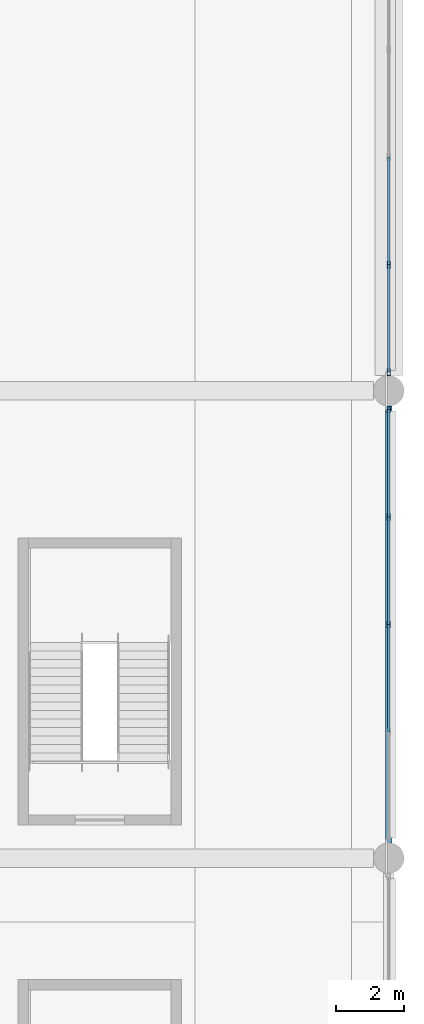
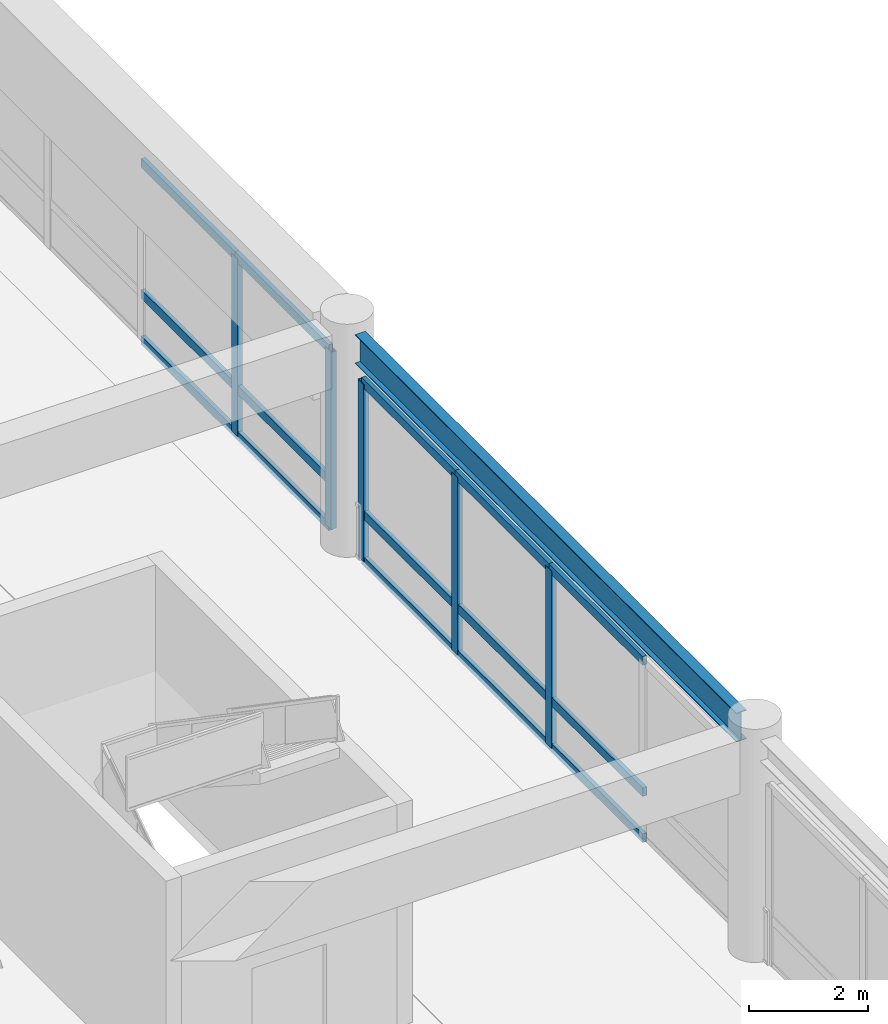
# One storey, part 38 of 91: 20 members, 1 beam, 2 elements without a shape of their own.
"""IFC4 building model written with IfcOpenShell, lengths in metres."""

from ifc_helpers import new_model, si_unit, direction, frame, origin, origin_2d, place, context, subcontext, project, spatial, hollow_rectangle, i_section, extrude, material, material_profile, profile_set, type_object, element, aggregate, save


model = new_model("IFC4")

# Units and contexts
model_context = context("Model", 3, precision=1e-05, world=origin(), true_north=direction((0.0, 1.0)))
body_context = subcontext(model_context, "Body", "Model", "MODEL_VIEW")
ifc_project = project(units=[si_unit("LENGTHUNIT", "METRE"), si_unit("AREAUNIT", "SQUARE_METRE"), si_unit("VOLUMEUNIT", "CUBIC_METRE"), si_unit("PLANEANGLEUNIT", "RADIAN"), si_unit("MASSUNIT", "GRAM", prefix="KILO")], contexts=[model_context])

# Site, building, storey
site_placement = place(None, origin())
site = spatial("IfcSite", under=ifc_project, at=site_placement, CompositionType="ELEMENT")
building_placement = place(site_placement, origin())
building = spatial("IfcBuilding", under=site, at=building_placement, Name="Linyun Crest Stadium", CompositionType="ELEMENT")
storey_placement = place(building_placement, frame((0.0, 0.0, 11.39990234375)))
storey = spatial("IfcBuildingStorey", under=building, at=storey_placement, Name="L03", CompositionType="ELEMENT", Elevation=11.39990234375)

# Beam
ifc_material_1 = material(Name="Steel Q355C", Category="steel")
ifc_material_profile_1 = material_profile(ifc_material_1, i_section(OverallWidth=0.199951171875, OverallDepth=0.60009765625, WebThickness=0.010986328125, FlangeThickness=0.01708984375, at=origin_2d()), Name="HN 600x200")
ifc_profile_set_1 = profile_set([ifc_material_profile_1], Name="Steel Q355C")
beam_type = type_object("IfcBeamType", Name="B11", PredefinedType="BEAM", material=ifc_profile_set_1)
beam_placement = place(storey_placement, frame((98.0, -11.175048828125, 4.280029296875), z_axis=(0.0, 1.0, 0.0), x_axis=(-1.0, 0.0, 0.0)))
element("IfcBeam", 1, at=beam_placement, inside=storey, type_object=beam_type, Name="Frame beam B11 L03 674", PredefinedType="BEAM", context=body_context, shape_type="SweptSolid", body=[
    extrude(i_section(OverallWidth=0.199951171875, OverallDepth=0.60009765625, WebThickness=0.010986328125, FlangeThickness=0.01708984375, at=origin_2d()), origin(), (0.0, 0.0, 1.0), 12.85009765625),
])

# Curtain wall, members
ifc_material_2 = material(Name="Verdigris steel and low-E curtain wall assembly", Category="steel")
curtain_wall_type = type_object("IfcCurtainWallType", Name="MCW02", PredefinedType="NOTDEFINED", material=ifc_material_2)
curtain_wall_1_placement = place(storey_placement, origin())
curtain_wall_1 = element("IfcCurtainWall", 2, at=curtain_wall_1_placement, inside=storey, type_object=curtain_wall_type, Name="CWR-097", PredefinedType="NOTDEFINED")
ifc_material_3 = material(Name="Verdigris painted steel Q355C mullion", Category="steel")
ifc_material_profile_2 = material_profile(ifc_material_3, hollow_rectangle(XDim=0.10009765625, YDim=0.199951171875, WallThickness=0.008056640625, at=origin_2d()), Name="RHS 200x100x8")
ifc_profile_set_2 = profile_set([ifc_material_profile_2], Name="Verdigris painted steel Q355C mullion")
member_type_1 = type_object("IfcMemberType", Name="ML03", PredefinedType="MULLION", material=ifc_profile_set_2)
member_1_placement = place(storey_placement, frame((98.0, -4.75, 0.0), z_axis=(0.0, 0.0, 1.0), x_axis=(-1.0, 0.0, 0.0)))
member_1 = element("IfcMember", 3, at=member_1_placement, type_object=member_type_1, Name="CWR-097 mullion 3", PredefinedType="MULLION", context=body_context, shape_type="SweptSolid", body=[
    extrude(hollow_rectangle(XDim=0.10009765625, YDim=0.199951171875, WallThickness=0.008056640625, at=origin_2d()), origin(), (0.0, 0.0, 1.0), 3.650146484375),
])
member_2_placement = place(storey_placement, frame((98.0, -1.587890625, 0.0), z_axis=(0.0, 0.0, 1.0), x_axis=(-1.0, 0.0, 0.0)))
member_2 = element("IfcMember", 4, at=member_2_placement, type_object=member_type_1, Name="CWR-097 mullion 4", PredefinedType="MULLION", context=body_context, shape_type="SweptSolid", body=[
    extrude(hollow_rectangle(XDim=0.10009765625, YDim=0.199951171875, WallThickness=0.008056640625, at=origin_2d()), origin(), (0.0, 0.0, 1.0), 3.650146484375),
])
member_3_placement = place(storey_placement, frame((98.0, 1.574951171875, 0.0), z_axis=(0.0, 0.0, 1.0), x_axis=(-1.0, 0.0, 0.0)))
member_3 = element("IfcMember", 5, at=member_3_placement, type_object=member_type_1, Name="CWR-097 mullion 5", PredefinedType="MULLION", context=body_context, shape_type="SweptSolid", body=[
    extrude(hollow_rectangle(XDim=0.10009765625, YDim=0.199951171875, WallThickness=0.008056640625, at=origin_2d()), origin(), (0.0, 0.0, 1.0), 3.650146484375),
])

curtain_wall_2_placement = place(storey_placement, origin())
curtain_wall_2 = element("IfcCurtainWall", 6, at=curtain_wall_2_placement, inside=storey, type_object=curtain_wall_type, Name="CWR-106", PredefinedType="NOTDEFINED")
member_4_placement = place(storey_placement, frame((98.0, 2.675048828125, 0.0), z_axis=(0.0, 0.0, 1.0), x_axis=(-1.0, 0.0, 0.0)))
member_4 = element("IfcMember", 7, at=member_4_placement, type_object=member_type_1, Name="CWR-106 mullion 1", PredefinedType="MULLION", context=body_context, shape_type="SweptSolid", body=[
    extrude(hollow_rectangle(XDim=0.10009765625, YDim=0.199951171875, WallThickness=0.008056640625, at=origin_2d()), origin(), (0.0, 0.0, 1.0), 3.650146484375),
])
member_5_placement = place(storey_placement, frame((98.0, 5.8369140625, 0.0), z_axis=(0.0, 0.0, 1.0), x_axis=(-1.0, 0.0, 0.0)))
member_5 = element("IfcMember", 8, at=member_5_placement, type_object=member_type_1, Name="CWR-106 mullion 2", PredefinedType="MULLION", context=body_context, shape_type="SweptSolid", body=[
    extrude(hollow_rectangle(XDim=0.10009765625, YDim=0.199951171875, WallThickness=0.008056640625, at=origin_2d()), origin(), (0.0, 0.0, 1.0), 3.650146484375),
])

# Member
ifc_material_4 = material(Name="Verdigris painted steel Q355B transom", Category="steel")
ifc_material_profile_3 = material_profile(ifc_material_4, hollow_rectangle(XDim=0.080078125, YDim=0.179931640625, WallThickness=0.006103515625, at=origin_2d()), Name="RHS 180x80x6")
ifc_profile_set_3 = profile_set([ifc_material_profile_3], Name="Verdigris painted steel Q355B transom")
member_type_2 = type_object("IfcMemberType", Name="TR02", PredefinedType="USERDEFINED", material=ifc_profile_set_3)
member_6_placement = place(storey_placement, frame((98.0, -7.912109375, 0.0), z_axis=(0.0, 1.0, 0.0), x_axis=(-1.0, 0.0, 0.0)))
member_6 = element("IfcMember", 9, at=member_6_placement, type_object=member_type_2, Name="CWR-097 transom 2.1", ObjectType="TRANSOM", PredefinedType="USERDEFINED", context=body_context, shape_type="SweptSolid", body=[
    extrude(hollow_rectangle(XDim=0.080078125, YDim=0.179931640625, WallThickness=0.006103515625, at=origin_2d()), origin(), (0.0, 0.0, 1.0), 3.162109375),
])

member_7_placement = place(storey_placement, frame((98.0, -7.912109375, 0.9501953125), z_axis=(0.0, 1.0, 0.0), x_axis=(-1.0, 0.0, 0.0)))
member_7 = element("IfcMember", 10, at=member_7_placement, type_object=member_type_2, Name="CWR-097 transom 2.2", ObjectType="TRANSOM", PredefinedType="USERDEFINED", context=body_context, shape_type="SweptSolid", body=[
    extrude(hollow_rectangle(XDim=0.080078125, YDim=0.179931640625, WallThickness=0.006103515625, at=origin_2d()), origin(), (0.0, 0.0, 1.0), 3.162109375),
])

member_8_placement = place(storey_placement, frame((98.0, -7.912109375, 3.650146484375), z_axis=(0.0, 1.0, 0.0), x_axis=(-1.0, 0.0, 0.0)))
member_8 = element("IfcMember", 11, at=member_8_placement, type_object=member_type_2, Name="CWR-097 transom 2.3", ObjectType="TRANSOM", PredefinedType="USERDEFINED", context=body_context, shape_type="SweptSolid", body=[
    extrude(hollow_rectangle(XDim=0.080078125, YDim=0.179931640625, WallThickness=0.006103515625, at=origin_2d()), origin(), (0.0, 0.0, 1.0), 3.162109375),
])

member_9_placement = place(storey_placement, frame((98.0, -4.75, 0.0), z_axis=(0.0, 1.0, 0.0), x_axis=(-1.0, 0.0, 0.0)))
member_9 = element("IfcMember", 12, at=member_9_placement, type_object=member_type_2, Name="CWR-097 transom 3.1", ObjectType="TRANSOM", PredefinedType="USERDEFINED", context=body_context, shape_type="SweptSolid", body=[
    extrude(hollow_rectangle(XDim=0.080078125, YDim=0.179931640625, WallThickness=0.006103515625, at=origin_2d()), origin(), (0.0, 0.0, 1.0), 3.162109375),
])

member_10_placement = place(storey_placement, frame((98.0, -4.75, 0.9501953125), z_axis=(0.0, 1.0, 0.0), x_axis=(-1.0, 0.0, 0.0)))
member_10 = element("IfcMember", 13, at=member_10_placement, type_object=member_type_2, Name="CWR-097 transom 3.2", ObjectType="TRANSOM", PredefinedType="USERDEFINED", context=body_context, shape_type="SweptSolid", body=[
    extrude(hollow_rectangle(XDim=0.080078125, YDim=0.179931640625, WallThickness=0.006103515625, at=origin_2d()), origin(), (0.0, 0.0, 1.0), 3.162109375),
])

member_11_placement = place(storey_placement, frame((98.0, -4.75, 3.650146484375), z_axis=(0.0, 1.0, 0.0), x_axis=(-1.0, 0.0, 0.0)))
member_11 = element("IfcMember", 14, at=member_11_placement, type_object=member_type_2, Name="CWR-097 transom 3.3", ObjectType="TRANSOM", PredefinedType="USERDEFINED", context=body_context, shape_type="SweptSolid", body=[
    extrude(hollow_rectangle(XDim=0.080078125, YDim=0.179931640625, WallThickness=0.006103515625, at=origin_2d()), origin(), (0.0, 0.0, 1.0), 3.162109375),
])

member_12_placement = place(storey_placement, frame((98.0, -1.587890625, 0.0), z_axis=(0.0, 1.0, 0.0), x_axis=(-1.0, 0.0, 0.0)))
member_12 = element("IfcMember", 15, at=member_12_placement, type_object=member_type_2, Name="CWR-097 transom 4.1", ObjectType="TRANSOM", PredefinedType="USERDEFINED", context=body_context, shape_type="SweptSolid", body=[
    extrude(hollow_rectangle(XDim=0.080078125, YDim=0.179931640625, WallThickness=0.006103515625, at=origin_2d()), origin(), (0.0, 0.0, 1.0), 3.162841796875),
])

member_13_placement = place(storey_placement, frame((98.0, -1.587890625, 0.9501953125), z_axis=(0.0, 1.0, 0.0), x_axis=(-1.0, 0.0, 0.0)))
member_13 = element("IfcMember", 16, at=member_13_placement, type_object=member_type_2, Name="CWR-097 transom 4.2", ObjectType="TRANSOM", PredefinedType="USERDEFINED", context=body_context, shape_type="SweptSolid", body=[
    extrude(hollow_rectangle(XDim=0.080078125, YDim=0.179931640625, WallThickness=0.006103515625, at=origin_2d()), origin(), (0.0, 0.0, 1.0), 3.162841796875),
])

member_14_placement = place(storey_placement, frame((98.0, -1.587890625, 3.650146484375), z_axis=(0.0, 1.0, 0.0), x_axis=(-1.0, 0.0, 0.0)))
member_14 = element("IfcMember", 17, at=member_14_placement, type_object=member_type_2, Name="CWR-097 transom 4.3", ObjectType="TRANSOM", PredefinedType="USERDEFINED", context=body_context, shape_type="SweptSolid", body=[
    extrude(hollow_rectangle(XDim=0.080078125, YDim=0.179931640625, WallThickness=0.006103515625, at=origin_2d()), origin(), (0.0, 0.0, 1.0), 3.162841796875),
])

aggregate(curtain_wall_1, [member_1, member_2, member_3, member_6, member_7, member_8, member_9, member_10, member_11, member_12, member_13, member_14])

member_15_placement = place(storey_placement, frame((98.0, 2.675048828125, 0.0), z_axis=(0.0, 1.0, 0.0), x_axis=(-1.0, 0.0, 0.0)))
member_15 = element("IfcMember", 18, at=member_15_placement, type_object=member_type_2, Name="CWR-106 transom 1.1", ObjectType="TRANSOM", PredefinedType="USERDEFINED", context=body_context, shape_type="SweptSolid", body=[
    extrude(hollow_rectangle(XDim=0.080078125, YDim=0.179931640625, WallThickness=0.006103515625, at=origin_2d()), origin(), (0.0, 0.0, 1.0), 3.161865234375),
])

member_16_placement = place(storey_placement, frame((98.0, 2.675048828125, 0.9501953125), z_axis=(0.0, 1.0, 0.0), x_axis=(-1.0, 0.0, 0.0)))
member_16 = element("IfcMember", 19, at=member_16_placement, type_object=member_type_2, Name="CWR-106 transom 1.2", ObjectType="TRANSOM", PredefinedType="USERDEFINED", context=body_context, shape_type="SweptSolid", body=[
    extrude(hollow_rectangle(XDim=0.080078125, YDim=0.179931640625, WallThickness=0.006103515625, at=origin_2d()), origin(), (0.0, 0.0, 1.0), 3.161865234375),
])

member_17_placement = place(storey_placement, frame((98.0, 2.675048828125, 3.650146484375), z_axis=(0.0, 1.0, 0.0), x_axis=(-1.0, 0.0, 0.0)))
member_17 = element("IfcMember", 20, at=member_17_placement, type_object=member_type_2, Name="CWR-106 transom 1.3", ObjectType="TRANSOM", PredefinedType="USERDEFINED", context=body_context, shape_type="SweptSolid", body=[
    extrude(hollow_rectangle(XDim=0.080078125, YDim=0.179931640625, WallThickness=0.006103515625, at=origin_2d()), origin(), (0.0, 0.0, 1.0), 3.161865234375),
])

member_18_placement = place(storey_placement, frame((98.0, 5.8369140625, 0.0), z_axis=(0.0, 1.0, 0.0), x_axis=(-1.0, 0.0, 0.0)))
member_18 = element("IfcMember", 21, at=member_18_placement, type_object=member_type_2, Name="CWR-106 transom 2.1", ObjectType="TRANSOM", PredefinedType="USERDEFINED", context=body_context, shape_type="SweptSolid", body=[
    extrude(hollow_rectangle(XDim=0.080078125, YDim=0.179931640625, WallThickness=0.006103515625, at=origin_2d()), origin(), (0.0, 0.0, 1.0), 3.1630859375),
])

member_19_placement = place(storey_placement, frame((98.0, 5.8369140625, 0.9501953125), z_axis=(0.0, 1.0, 0.0), x_axis=(-1.0, 0.0, 0.0)))
member_19 = element("IfcMember", 22, at=member_19_placement, type_object=member_type_2, Name="CWR-106 transom 2.2", ObjectType="TRANSOM", PredefinedType="USERDEFINED", context=body_context, shape_type="SweptSolid", body=[
    extrude(hollow_rectangle(XDim=0.080078125, YDim=0.179931640625, WallThickness=0.006103515625, at=origin_2d()), origin(), (0.0, 0.0, 1.0), 3.1630859375),
])

member_20_placement = place(storey_placement, frame((98.0, 5.8369140625, 3.650146484375), z_axis=(0.0, 1.0, 0.0), x_axis=(-1.0, 0.0, 0.0)))
member_20 = element("IfcMember", 23, at=member_20_placement, type_object=member_type_2, Name="CWR-106 transom 2.3", ObjectType="TRANSOM", PredefinedType="USERDEFINED", context=body_context, shape_type="SweptSolid", body=[
    extrude(hollow_rectangle(XDim=0.080078125, YDim=0.179931640625, WallThickness=0.006103515625, at=origin_2d()), origin(), (0.0, 0.0, 1.0), 3.1630859375),
])

aggregate(curtain_wall_2, [member_4, member_5, member_15, member_16, member_17, member_18, member_19, member_20])

save(model, "model.ifc")
